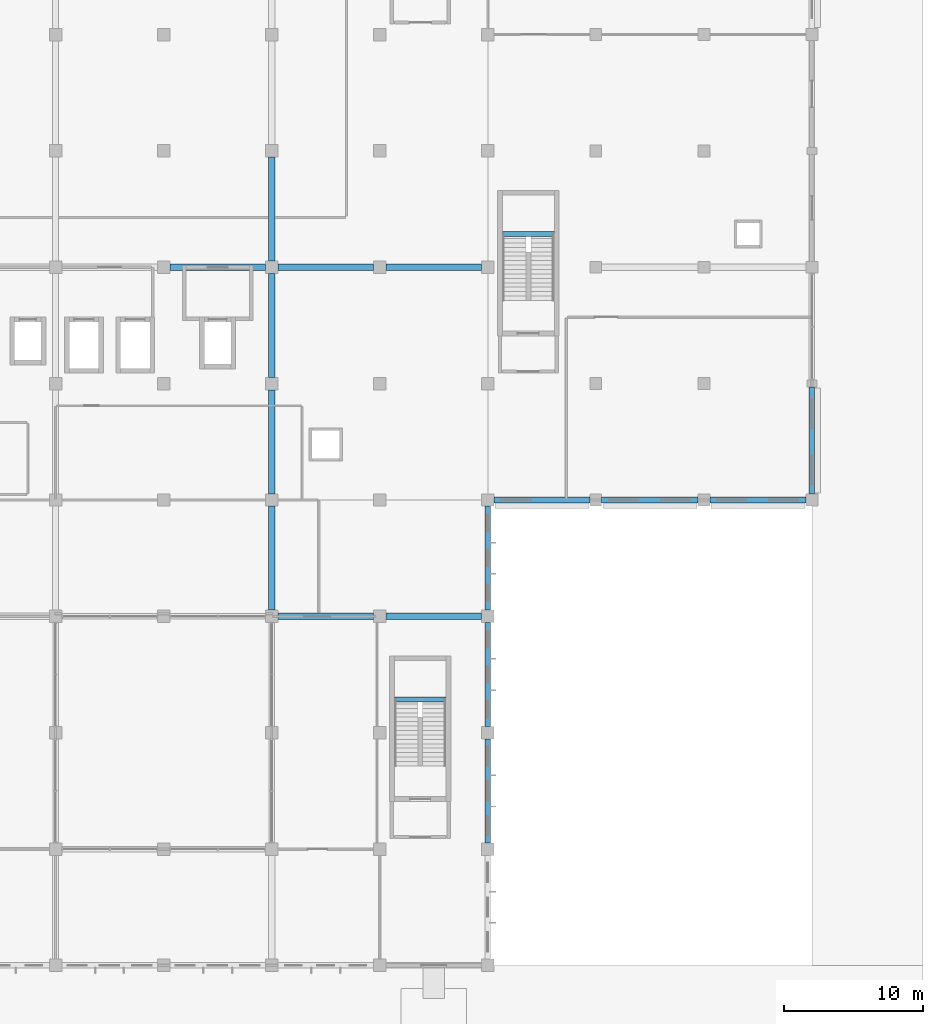
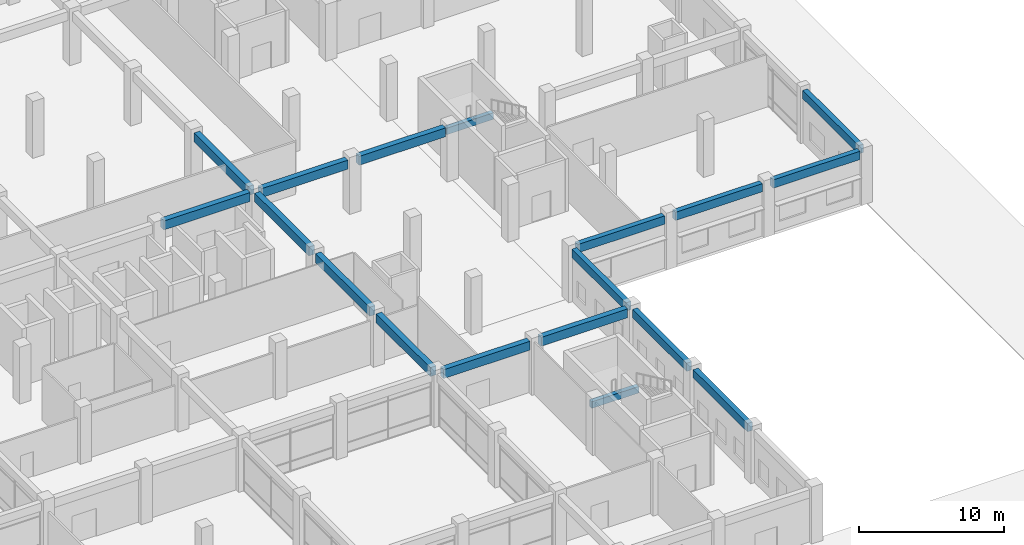
# One storey, part 36 of 74: 18 beams.
"""IFC4 building model written with IfcOpenShell, lengths in metres."""

from ifc_helpers import new_model, si_unit, direction, frame, origin, origin_2d, place, context, subcontext, project, spatial, rectangle, extrude, material, material_profile, profile_set, type_object, element, save


model = new_model("IFC4")

# Units and contexts
model_context = context("Model", 3, precision=1e-05, world=origin(), true_north=direction((0.0, 1.0)))
body_context = subcontext(model_context, "Body", "Model", "MODEL_VIEW")
ifc_project = project(units=[si_unit("LENGTHUNIT", "METRE"), si_unit("AREAUNIT", "SQUARE_METRE"), si_unit("VOLUMEUNIT", "CUBIC_METRE"), si_unit("PLANEANGLEUNIT", "RADIAN"), si_unit("MASSUNIT", "GRAM", prefix="KILO"), si_unit("THERMODYNAMICTEMPERATUREUNIT", "KELVIN"), si_unit("POWERUNIT", "WATT")], contexts=[model_context])

# Site, building, storey
site_placement = place(None, origin())
site = spatial("IfcSite", under=ifc_project, at=site_placement, CompositionType="ELEMENT")
building_placement = place(site_placement, origin())
building = spatial("IfcBuilding", under=site, at=building_placement, Name="Srebrne Nadtorze General Hospital", CompositionType="ELEMENT")
storey_placement = place(building_placement, origin())
storey = spatial("IfcBuildingStorey", under=building, at=storey_placement, Name="L00", CompositionType="ELEMENT", Elevation=0.0)

# Beams
ifc_material_1 = material(Name="Concrete C40/50", Category="concrete")
ifc_material_profile_1 = material_profile(ifc_material_1, rectangle(XDim=0.39990234375, YDim=0.699951171875, at=origin_2d()), Name="RC-BM-400x700")
ifc_profile_set_1 = profile_set([ifc_material_profile_1], Name="Concrete C40/50")
beam_type_1 = type_object("IfcBeamType", Name="Edge beam RC 400x700", PredefinedType="BEAM", material=ifc_profile_set_1)
beam_1_placement = place(storey_placement, frame((148.64990234375, 33.60009765625, 4.10009765625), z_axis=(1.0, 0.0, 0.0), x_axis=(0.0, 1.0, 0.0)))
element("IfcBeam", 1, at=beam_1_placement, inside=storey, type_object=beam_type_1, Name="Beam BM-L00-X-0218", PredefinedType="BEAM", context=body_context, shape_type="SweptSolid", body=[
    extrude(rectangle(XDim=0.39990234375, YDim=0.699951171875, at=origin_2d()), origin(), (0.0, 0.0, 1.0), 6.925048828125),
])
for number, where, z_axis, x_axis, name in (
    (2, (156.425048828125, 33.60009765625, 4.10009765625), (1.0, 0.0, 0.0), (0.0, 1.0, 0.0), "Beam BM-L00-X-0219"),
    (3, (164.22509765625, 33.60009765625, 4.10009765625), (1.0, 0.0, 0.0), (0.0, 1.0, 0.0), "Beam BM-L00-X-0220"),
):
    element("IfcBeam", number, at=place(storey_placement, frame(where, z_axis=z_axis, x_axis=x_axis)), inside=storey, type_object=beam_type_1, Name=name, PredefinedType="BEAM", context=body_context, shape_type="SweptSolid", body=[
        extrude(rectangle(XDim=0.39990234375, YDim=0.699951171875, at=origin_2d()), origin(), (0.0, 0.0, 1.0), 6.949951171875),
    ])
for number, where, z_axis, x_axis, name in (
    (4, (148.199951171875, 8.85009765625, 4.10009765625), (0.0, 1.0, 0.0), (-1.0, 0.0, 0.0), "Beam BM-L00-Y-0354"),
    (5, (148.199951171875, 17.25, 4.10009765625), (0.0, 1.0, 0.0), (-1.0, 0.0, 0.0), "Beam BM-L00-Y-0355"),
    (6, (148.199951171875, 25.64990234375, 4.10009765625), (0.0, 1.0, 0.0), (-1.0, 0.0, 0.0), "Beam BM-L00-Y-0356"),
):
    element("IfcBeam", number, at=place(storey_placement, frame(where, z_axis=z_axis, x_axis=x_axis)), inside=storey, type_object=beam_type_1, Name=name, PredefinedType="BEAM", context=body_context, shape_type="SweptSolid", body=[
        extrude(rectangle(XDim=0.39990234375, YDim=0.699951171875, at=origin_2d()), origin(), (0.0, 0.0, 1.0), 7.5),
    ])
beam_2_placement = place(storey_placement, frame((171.60009765625, 34.02490234375, 4.10009765625), z_axis=(0.0, 1.0, 0.0), x_axis=(-1.0, 0.0, 0.0)))
element("IfcBeam", 7, at=beam_2_placement, inside=storey, type_object=beam_type_1, Name="Beam BM-L00-Y-0361", PredefinedType="BEAM", context=body_context, shape_type="SweptSolid", body=[
    extrude(rectangle(XDim=0.39990234375, YDim=0.699951171875, at=origin_2d()), origin(), (0.0, 0.0, 1.0), 7.72509765625),
])
ifc_material_2 = material(Name="Concrete C40/50", Category="concrete")
ifc_material_profile_2 = material_profile(ifc_material_2, rectangle(XDim=0.449951171875, YDim=0.75, at=origin_2d()), Name="RC-BM-450x750")
ifc_profile_set_2 = profile_set([ifc_material_profile_2], Name="Concrete C40/50")
beam_type_2 = type_object("IfcBeamType", Name="Primary beam RC 450x750", PredefinedType="BEAM", material=ifc_profile_set_2)
for number, where, z_axis, x_axis, name in (
    (8, (133.050048828125, 25.199951171875, 4.074951171875), (1.0, 0.0, 0.0), (0.0, 1.0, 0.0), "Beam BM-L00-X-0213"),
    (9, (140.85009765625, 25.199951171875, 4.074951171875), (1.0, 0.0, 0.0), (0.0, 1.0, 0.0), "Beam BM-L00-X-0214"),
    (10, (125.25, 50.39990234375, 4.074951171875), (1.0, 0.0, 0.0), (0.0, 1.0, 0.0), "Beam BM-L00-X-0236"),
    (11, (133.050048828125, 50.39990234375, 4.074951171875), (1.0, 0.0, 0.0), (0.0, 1.0, 0.0), "Beam BM-L00-X-0237"),
    (12, (140.85009765625, 50.39990234375, 4.074951171875), (1.0, 0.0, 0.0), (0.0, 1.0, 0.0), "Beam BM-L00-X-0238"),
):
    element("IfcBeam", number, at=place(storey_placement, frame(where, z_axis=z_axis, x_axis=x_axis)), inside=storey, type_object=beam_type_2, Name=name, PredefinedType="BEAM", context=body_context, shape_type="SweptSolid", body=[
        extrude(rectangle(XDim=0.449951171875, YDim=0.75, at=origin_2d()), origin(), (0.0, 0.0, 1.0), 6.89990234375),
    ])
for number, where, z_axis, x_axis, name in (
    (13, (132.60009765625, 25.64990234375, 4.074951171875), (0.0, 1.0, 0.0), (-1.0, 0.0, 0.0), "Beam BM-L00-Y-0343"),
    (14, (132.60009765625, 34.050048828125, 4.074951171875), (0.0, 1.0, 0.0), (-1.0, 0.0, 0.0), "Beam BM-L00-Y-0344"),
    (15, (132.60009765625, 42.449951171875, 4.074951171875), (0.0, 1.0, 0.0), (-1.0, 0.0, 0.0), "Beam BM-L00-Y-0345"),
    (16, (132.60009765625, 50.85009765625, 4.074951171875), (0.0, 1.0, 0.0), (-1.0, 0.0, 0.0), "Beam BM-L00-Y-0346"),
):
    element("IfcBeam", number, at=place(storey_placement, frame(where, z_axis=z_axis, x_axis=x_axis)), inside=storey, type_object=beam_type_2, Name=name, PredefinedType="BEAM", context=body_context, shape_type="SweptSolid", body=[
        extrude(rectangle(XDim=0.449951171875, YDim=0.75, at=origin_2d()), origin(), (0.0, 0.0, 1.0), 7.5),
    ])
ifc_material_3 = material(Name="Concrete C35/45", Category="concrete")
ifc_material_profile_3 = material_profile(ifc_material_3, rectangle(XDim=0.35009765625, YDim=0.550048828125, at=origin_2d()), Name="RC-BM-350x550")
ifc_profile_set_3 = profile_set([ifc_material_profile_3], Name="Concrete C35/45")
beam_type_3 = type_object("IfcBeamType", Name="Spandrel lintel beam RC 350x550", PredefinedType="LINTEL", material=ifc_profile_set_3)
for number, where, z_axis, x_axis, name in (
    (17, (149.25, 52.800048828125, 2.125), (1.0, 0.0, 0.0), (0.0, 1.0, 0.0), "Stair landing header beam ST-06 L00"),
    (18, (141.449951171875, 19.199951171875, 2.125), (1.0, 0.0, 0.0), (0.0, 1.0, 0.0), "Stair landing header beam ST-08 L00"),
):
    element("IfcBeam", number, at=place(storey_placement, frame(where, z_axis=z_axis, x_axis=x_axis)), inside=storey, type_object=beam_type_3, Name=name, PredefinedType="LINTEL", context=body_context, shape_type="SweptSolid", body=[
        extrude(rectangle(XDim=0.35009765625, YDim=0.550048828125, at=origin_2d()), origin(), (0.0, 0.0, 1.0), 3.75),
    ])

save(model, "model.ifc")
